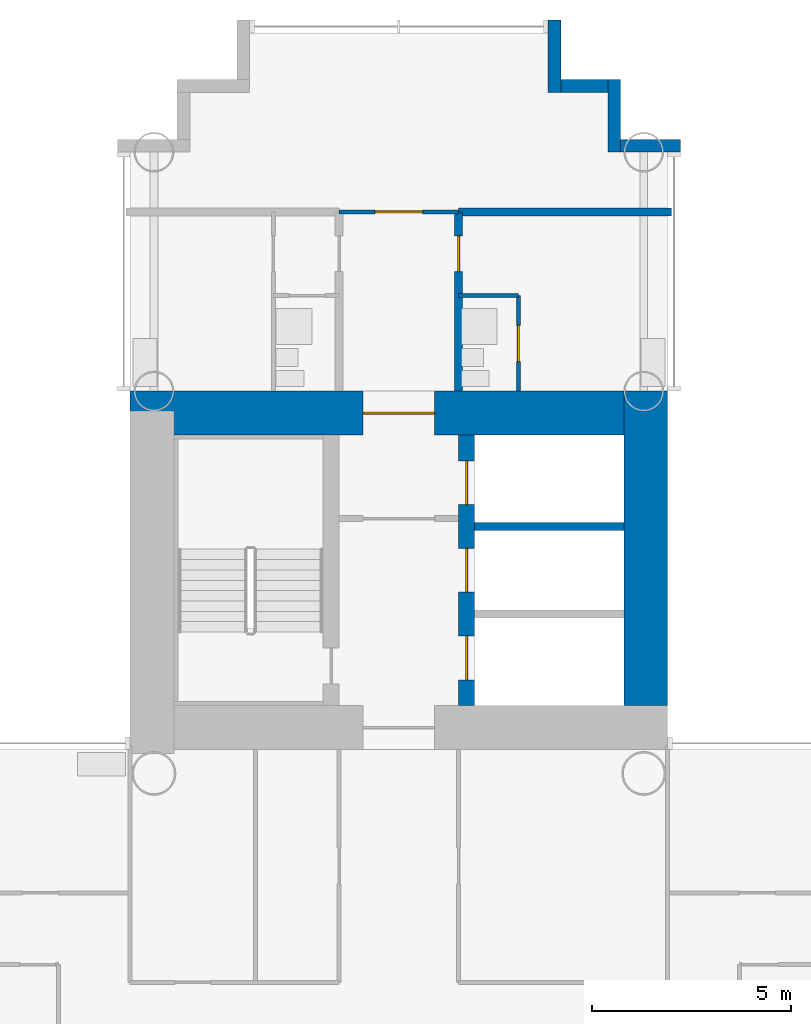
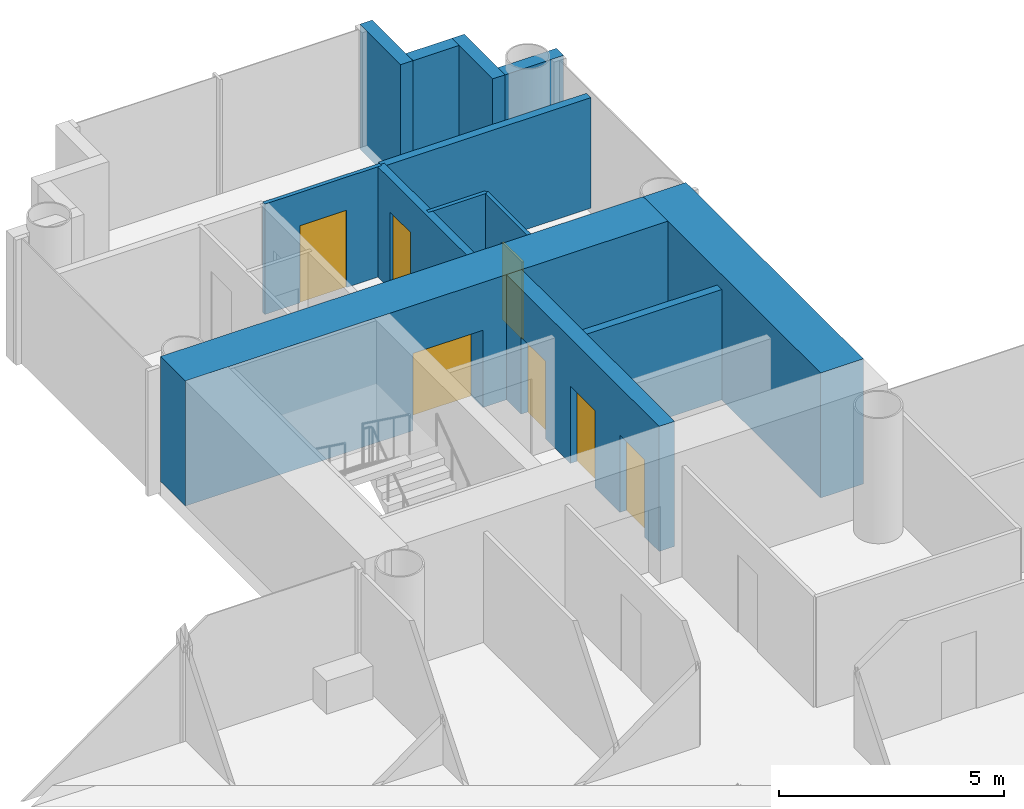
# One storey, part 15 of 21: 13 walls, 7 doors, 7 openings.
"""IFC4 building model written with IfcOpenShell, lengths in metres."""

import ifcopenshell
import ifcopenshell.guid

model = None  # the IFC model being written
_history = None  # IfcOwnerHistory: only IFC2X3 demands one
_inside = {}  # id of a spatial element -> (the spatial element, [elements in it])
_under = {}  # id of a project, library or spatial element -> (it, [spatial elements below it])
_declared = {}  # id of a project -> (the project, [libraries it declares])
_typed = {}  # id of a type object -> (the type object, [elements of that type])
_made_of = {}  # id of a material, layer set ... -> (it, [elements and type objects made of it])


def new_model(schema):
    """Start an empty IFC model of exactly this schema.

    Asked for "IFC4X3", IfcOpenShell would pick the latest addendum, in which some entities
    have other attributes; the version numbers below select the first issue.
    IFC2X3 requires an IfcOwnerHistory on every rooted entity: one is made here for all.
    """
    global model, _history
    if schema == "IFC4X3":
        model = ifcopenshell.file(schema_version=(4, 3, 0, 0))
    else:
        model = ifcopenshell.file(schema=schema)
    _inside.clear()
    _under.clear()
    _declared.clear()
    _typed.clear()
    _made_of.clear()
    _history = None
    if model.schema == "IFC2X3":
        org = make("IfcOrganization", Name="unknown")
        user = make(
            "IfcPersonAndOrganization",
            ThePerson=make("IfcPerson", FamilyName="unknown"),
            TheOrganization=org,
        )
        app = make(
            "IfcApplication",
            ApplicationDeveloper=org,
            Version="unknown",
            ApplicationFullName="unknown",
            ApplicationIdentifier="unknown",
        )
        _history = make(
            "IfcOwnerHistory",
            OwningUser=user,
            OwningApplication=app,
            ChangeAction="ADDED",
            CreationDate=0,
        )
    return model


def make(cls, **values):
    """One entity of the class cls with the attributes given. An attribute that is None is left unset."""
    return model.create_entity(
        cls, **{name: value for name, value in values.items() if value is not None}
    )


def rooted(cls, **values):
    """An entity with a GlobalId (a new one), such as an element, a storey or a relation."""
    return make(cls, GlobalId=ifcopenshell.guid.new(), OwnerHistory=_history, **values)


def si_unit(unit_type, name, prefix=None):
    """IfcSIUnit, for example si_unit("LENGTHUNIT", "METRE", prefix="MILLI")."""
    return make("IfcSIUnit", UnitType=unit_type, Prefix=prefix, Name=name)


def assignment(units):
    """IfcUnitAssignment: the units of a project."""
    return None if units is None else make("IfcUnitAssignment", Units=units)


def point(xyz):
    """IfcCartesianPoint."""
    return None if xyz is None else make("IfcCartesianPoint", Coordinates=xyz)


def direction(xyz):
    """IfcDirection."""
    return None if xyz is None else make("IfcDirection", DirectionRatios=xyz)


def frame(location, z_axis=None, x_axis=None):
    """IfcAxis2Placement3D, a coordinate frame: its origin and axes. An axis left out is left unset."""
    return make(
        "IfcAxis2Placement3D",
        Location=point(location),
        Axis=direction(z_axis),
        RefDirection=direction(x_axis),
    )


def frame_2d(location, x_axis=None):
    """IfcAxis2Placement2D, a coordinate frame in the plane: its origin and x axis."""
    return make(
        "IfcAxis2Placement2D", Location=point(location), RefDirection=direction(x_axis)
    )


def origin():
    """The frame at (0, 0, 0) with its axes left unset."""
    return frame((0.0, 0.0, 0.0))


def place(relative_to, where):
    """IfcLocalPlacement: puts the frame where relative to a parent placement (None: the world)."""
    return make(
        "IfcLocalPlacement", PlacementRelTo=relative_to, RelativePlacement=where
    )


def context(
    kind, dimensions, precision=None, world=None, true_north=None, identifier=None
):
    """IfcGeometricRepresentationContext, for example the 3D "Model" context."""
    return make(
        "IfcGeometricRepresentationContext",
        ContextIdentifier=identifier,
        ContextType=kind,
        CoordinateSpaceDimension=dimensions,
        Precision=precision,
        WorldCoordinateSystem=world,
        TrueNorth=true_north,
    )


def subcontext(parent, identifier, kind, view, scale=None):
    """IfcGeometricRepresentationSubContext, for example "Body" below "Model"."""
    return make(
        "IfcGeometricRepresentationSubContext",
        ContextIdentifier=identifier,
        ContextType=kind,
        ParentContext=parent,
        TargetScale=scale,
        TargetView=view,
    )


def project(units=None, contexts=None):
    """IfcProject with its units and contexts."""
    return rooted(
        "IfcProject",
        Name="project",
        RepresentationContexts=contexts,
        UnitsInContext=assignment(units),
    )


def spatial(cls, under=None, at=None, **own):
    """A site, building, storey or space (cls), placed at a placement, below another one or the project."""
    s = rooted(cls, ObjectPlacement=at, **own)
    if under is not None:
        _under.setdefault(under.id(), (under, []))[1].append(s)
    return s


def profile(cls, at=None, kind="AREA", **sizes):
    """A parametric profile (cls). Its sizes go by their IFC names, for example OverallWidth=200.0."""
    return make(cls, ProfileType=kind, Position=at, **sizes)


def rectangle(**sizes):
    """IfcRectangleProfileDef."""
    return profile("IfcRectangleProfileDef", **sizes)


def extrude(swept, where, along, depth):
    """IfcExtrudedAreaSolid: the profile swept, set in the frame where, extruded along a direction by depth."""
    return make(
        "IfcExtrudedAreaSolid",
        SweptArea=swept,
        Position=where,
        ExtrudedDirection=direction(along),
        Depth=depth,
    )


def shape(context_of_items, identifier, shape_type, items):
    """IfcShapeRepresentation: the items that make up one representation, for example the "Body"."""
    return make(
        "IfcShapeRepresentation",
        ContextOfItems=context_of_items,
        RepresentationIdentifier=identifier,
        RepresentationType=shape_type,
        Items=items,
    )


def material(Name=None, Category=None):
    """IfcMaterial."""
    return make("IfcMaterial", Name=Name, Category=Category)


def layer(
    of_material, thickness, ventilated=None, Name=None, Category=None, Priority=None
):
    """IfcMaterialLayer: one layer of a wall or slab, of a material (None: an air gap)."""
    return make(
        "IfcMaterialLayer",
        Material=of_material,
        LayerThickness=thickness,
        IsVentilated=ventilated,
        Name=Name,
        Category=Category,
        Priority=Priority,
    )


def layer_set(layers, Name=None):
    """IfcMaterialLayerSet."""
    return make("IfcMaterialLayerSet", MaterialLayers=layers, LayerSetName=Name)


def made_of(thing, what):
    """Note that an element or type object is made of a material, layer set ...; save() writes the relation."""
    if what is not None:
        _made_of.setdefault(what.id(), (what, []))[1].append(thing)
    return thing


def type_object(cls, material=None, **own):
    """A type object (cls), such as IfcWallType, which elements share."""
    return made_of(rooted(cls, **own), material)


def element(
    cls,
    number,
    at=None,
    inside=None,
    cuts=None,
    type_object=None,
    material=None,
    context=None,
    identifier="Body",
    shape_type=None,
    held_by="IfcProductDefinitionShape",
    body=None,
    shapes=None,
    **own,
):
    """One element of the class cls, such as IfcWall. Its Tag is "e" and its number.

    at: its placement. inside: the storey or other place that contains it. cuts: it is an
    opening in that element (IfcRelVoidsElement). A single representation is given by context,
    identifier, shape_type and body (its items); several are given by shapes. held_by: the class
    of the entity that holds the representations. save() writes the other relations.
    """
    e = rooted(cls, Tag="e%d" % number, ObjectPlacement=at, **own)
    if body is not None:
        shapes = [shape(context, identifier, shape_type, body)]
    if shapes is not None:
        e.Representation = make(held_by, Representations=shapes)
    if inside is not None:
        _inside.setdefault(inside.id(), (inside, []))[1].append(e)
    if cuts is not None:
        rooted(
            "IfcRelVoidsElement", RelatingBuildingElement=cuts, RelatedOpeningElement=e
        )
    if type_object is not None:
        _typed.setdefault(type_object.id(), (type_object, []))[1].append(e)
    return made_of(e, material)


def fill(opening, filler):
    """IfcRelFillsElement: the door or window that sits in an opening."""
    return rooted(
        "IfcRelFillsElement",
        RelatingOpeningElement=opening,
        RelatedBuildingElement=filler,
    )


def aggregate(whole, parts):
    """IfcRelAggregates: a whole, such as a stair, and the parts it consists of."""
    return rooted("IfcRelAggregates", RelatingObject=whole, RelatedObjects=parts)


def save(model, path):
    """Write the relations noted so far, then the file.

    IfcRelAggregates (storeys below a building ...), IfcRelContainedInSpatialStructure (elements
    in a storey), IfcRelDefinesByType, IfcRelAssociatesMaterial and IfcRelDeclares: one each for
    every whole, place, type object, material and project.
    """
    for whole, parts in _under.values():
        aggregate(whole, parts)
    for where, things in _inside.values():
        rooted(
            "IfcRelContainedInSpatialStructure",
            RelatedElements=things,
            RelatingStructure=where,
        )
    for kind, things in _typed.values():
        rooted("IfcRelDefinesByType", RelatedObjects=things, RelatingType=kind)
    for what, things in _made_of.values():
        rooted("IfcRelAssociatesMaterial", RelatedObjects=things, RelatingMaterial=what)
    for by, libraries in _declared.values():
        rooted("IfcRelDeclares", RelatingContext=by, RelatedDefinitions=libraries)
    model.write(path)


model = new_model("IFC4")

# Units and contexts
model_context = context("Model", 3, precision=1e-05, world=origin(), true_north=direction((0.0, 1.0)))
body_context = subcontext(model_context, "Body", "Model", "MODEL_VIEW")
ifc_project = project(units=[si_unit("LENGTHUNIT", "METRE"), si_unit("AREAUNIT", "SQUARE_METRE"), si_unit("VOLUMEUNIT", "CUBIC_METRE"), si_unit("PLANEANGLEUNIT", "RADIAN"), si_unit("MASSUNIT", "GRAM", prefix="KILO")], contexts=[model_context])

# Site, building, storey
site_placement = place(None, origin())
site = spatial("IfcSite", under=ifc_project, at=site_placement, CompositionType="ELEMENT")
building_placement = place(site_placement, origin())
building = spatial("IfcBuilding", under=site, at=building_placement, Name="Ipe Terrace Towers", CompositionType="ELEMENT")
storey_placement = place(building_placement, frame((0.0, 0.0, 48.300048828125)))
storey = spatial("IfcBuildingStorey", under=building, at=storey_placement, Name="L12", CompositionType="ELEMENT", Elevation=48.300048828125)

# Walls
ifc_material_1 = material(Name="Concrete C40/50 with buff precast cladding", Category="concrete")
ifc_layer_1 = layer(ifc_material_1, 0.320068359375)
ifc_layer_set_1 = layer_set([ifc_layer_1], Name="BUFF CLADDING WALL 320")
wall_type_1 = type_object("IfcWallType", Name="BUFF CLADDING WALL 320", PredefinedType="STANDARD", material=ifc_layer_set_1)
wall_1_placement = place(storey_placement, frame((43.070068359375, 21.909912109375, -0.300048828125), z_axis=(0.0, 0.0, 1.0), x_axis=(-1.0, 0.0, 0.0)))
element("IfcWall", 1, at=wall_1_placement, inside=storey, type_object=wall_type_1, Name="T2-W-L12-21a wall", PredefinedType="STANDARD", context=body_context, shape_type="SweptSolid", body=[
    extrude(rectangle(XDim=1.5, YDim=0.320068359375, at=frame_2d((0.75, 0.0))), origin(), (0.0, 0.0, 1.0), 3.39990234375),
])
wall_2_placement = place(storey_placement, frame((41.409912109375, 21.75, -0.300048828125), z_axis=(0.0, 0.0, 1.0), x_axis=(0.0, 1.0, 0.0)))
element("IfcWall", 2, at=wall_2_placement, inside=storey, type_object=wall_type_1, Name="T2-W-L12-22a wall", PredefinedType="STANDARD", context=body_context, shape_type="SweptSolid", body=[
    extrude(rectangle(XDim=1.820068359375, YDim=0.320068359375, at=frame_2d((0.91015625, 0.0))), origin(), (0.0, 0.0, 1.0), 3.39990234375),
])
wall_3_placement = place(storey_placement, frame((41.25, 23.409912109375, -0.300048828125), z_axis=(0.0, 0.0, 1.0), x_axis=(-1.0, 0.0, 0.0)))
element("IfcWall", 3, at=wall_3_placement, inside=storey, type_object=wall_type_1, Name="T2-W-L12-23a wall", PredefinedType="STANDARD", context=body_context, shape_type="SweptSolid", body=[
    extrude(rectangle(XDim=1.179931640625, YDim=0.320068359375, at=frame_2d((0.58984375, 0.0))), origin(), (0.0, 0.0, 1.0), 3.39990234375),
])
wall_4_placement = place(storey_placement, frame((39.909912109375, 23.25, -0.300048828125), z_axis=(0.0, 0.0, 1.0), x_axis=(0.0, 1.0, 0.0)))
element("IfcWall", 4, at=wall_4_placement, inside=storey, type_object=wall_type_1, Name="T2-W-L12-24a wall", PredefinedType="STANDARD", context=body_context, shape_type="SweptSolid", body=[
    extrude(rectangle(XDim=1.820068359375, YDim=0.320068359375, at=frame_2d((0.91015625, 0.0))), origin(), (0.0, 0.0, 1.0), 3.39990234375),
])
ifc_material_2 = material(Name="Gypsum board partition", Category="plasterboard")
ifc_layer_2 = layer(ifc_material_2, 0.10009765625)
ifc_layer_set_2 = layer_set([ifc_layer_2], Name="Gypsum board partition 100 mm")
wall_type_2 = type_object("IfcWallType", Name="Gypsum board partition 100 mm", PredefinedType="PARTITIONING", material=ifc_layer_set_2)
wall_5_placement = place(storey_placement, frame((39.0, 18.14990234375, 0.0), z_axis=(0.0, 0.0, 1.0), x_axis=(-1.0, 0.0, 0.0)))
element("IfcWall", 5, at=wall_5_placement, inside=storey, type_object=wall_type_2, Name="Gypsum board partition T2 L12 W19", PredefinedType="PARTITIONING", context=body_context, shape_type="SweptSolid", body=[
    extrude(rectangle(XDim=1.5, YDim=0.10009765625, at=frame_2d((0.75, 0.0))), origin(), (0.0, 0.0, 1.0), 3.0),
])

# Wall, opening, door
wall_6_placement = place(storey_placement, frame((37.5, 20.25, 0.0), z_axis=(0.0, 0.0, 1.0), x_axis=(-1.0, 0.0, 0.0)))
wall_6 = element("IfcWall", 6, at=wall_6_placement, inside=storey, type_object=wall_type_2, Name="Gypsum board partition T2 L12 W21", PredefinedType="PARTITIONING", context=body_context, shape_type="SweptSolid", body=[
    extrude(rectangle(XDim=3.0, YDim=0.10009765625, at=frame_2d((1.5, 0.0))), origin(), (0.0, 0.0, 1.0), 3.0),
])
opening_1_placement = place(wall_6_placement, frame((0.89990234375, 0.0, 0.0)))
opening_1 = element("IfcOpeningElement", 7, at=opening_1_placement, cuts=wall_6, Name="Opening T2-Z1C-26", PredefinedType="OPENING", context=body_context, shape_type="SweptSolid", body=[
    extrude(rectangle(XDim=1.199951171875, YDim=2.10009765625, at=frame_2d((0.60009765625, 1.050048828125))), frame((0.0, 0.06005859375, 0.0), z_axis=(0.0, -1.0, 0.0), x_axis=(1.0, 0.0, 0.0)), (0.0, 0.0, 1.0), 0.1201171875),
])
ifc_material_3 = material(Name="Timber door leaf", Category="wood")
door_type_1 = type_object("IfcDoorType", Name="Lounge door 1200 x 2100", OperationType="NOTDEFINED", PredefinedType="DOOR", material=ifc_material_3)
door_1_placement = place(opening_1_placement, origin())
door_1 = element("IfcDoor", 8, at=door_1_placement, inside=storey, type_object=door_type_1, Name="Lounge door T2-Z1C-26", OperationType="SINGLE_SWING_RIGHT", OverallHeight=2.10009765625, OverallWidth=1.199951171875, PredefinedType="DOOR", context=body_context, shape_type="SweptSolid", body=[
    extrude(rectangle(XDim=1.199951171875, YDim=2.10009765625, at=frame_2d((0.60009765625, 1.050048828125))), frame((0.0, 0.02490234375, 0.0), z_axis=(0.0, -1.0, 0.0), x_axis=(1.0, 0.0, 0.0)), (0.0, 0.0, 1.0), 0.050048828125),
])
fill(opening_1, door_1)

wall_7_placement = place(storey_placement, frame((39.0, 15.75, 0.0), z_axis=(0.0, 0.0, 1.0), x_axis=(0.0, 1.0, 0.0)))
wall_7 = element("IfcWall", 9, at=wall_7_placement, inside=storey, type_object=wall_type_2, Name="Gypsum board partition T2 L12 W33", PredefinedType="PARTITIONING", context=body_context, shape_type="SweptSolid", body=[
    extrude(rectangle(XDim=2.39990234375, YDim=0.10009765625, at=frame_2d((1.199951171875, 0.0))), origin(), (0.0, 0.0, 1.0), 3.0),
])
opening_2_placement = place(wall_7_placement, frame((0.75, 0.0, 0.0)))
opening_2 = element("IfcOpeningElement", 10, at=opening_2_placement, cuts=wall_7, Name="Opening T2-Z1C-25", PredefinedType="OPENING", context=body_context, shape_type="SweptSolid", body=[
    extrude(rectangle(XDim=0.89990234375, YDim=2.10009765625, at=frame_2d((0.449951171875, 1.050048828125))), frame((0.0, 0.06005859375, 0.0), z_axis=(0.0, -1.0, 0.0), x_axis=(1.0, 0.0, 0.0)), (0.0, 0.0, 1.0), 0.1201171875),
])
ifc_material_4 = material(Name="Timber door leaf", Category="wood")
door_type_2 = type_object("IfcDoorType", Name="Bathroom door 900 x 2100", OperationType="NOTDEFINED", PredefinedType="DOOR", material=ifc_material_4)
door_2_placement = place(opening_2_placement, origin())
door_2 = element("IfcDoor", 11, at=door_2_placement, inside=storey, type_object=door_type_2, Name="Bathroom door T2-Z1C-25", OperationType="SINGLE_SWING_LEFT", OverallHeight=2.10009765625, OverallWidth=0.89990234375, PredefinedType="DOOR", context=body_context, shape_type="SweptSolid", body=[
    extrude(rectangle(XDim=0.89990234375, YDim=2.10009765625, at=frame_2d((0.449951171875, 1.050048828125))), frame((0.0, 0.02490234375, 0.0), z_axis=(0.0, -1.0, 0.0), x_axis=(1.0, 0.0, 0.0)), (0.0, 0.0, 1.0), 0.050048828125),
])
fill(opening_2, door_2)

# Walls
ifc_material_5 = material(Name="Gypsum board party wall", Category="plasterboard")
ifc_layer_3 = layer(ifc_material_5, 0.199951171875)
ifc_layer_set_3 = layer_set([ifc_layer_3], Name="Gypsum board party wall 200 mm")
wall_type_3 = type_object("IfcWallType", Name="Gypsum board party wall 200 mm", PredefinedType="SOLIDWALL", material=ifc_layer_set_3)
wall_8_placement = place(storey_placement, frame((41.64990234375, 12.35009765625, 0.0), z_axis=(0.0, 0.0, 1.0), x_axis=(-1.0, 0.0, 0.0)))
element("IfcWall", 12, at=wall_8_placement, inside=storey, type_object=wall_type_3, Name="Gypsum board party wall T2 L12 t2c1-shaft-div2", PredefinedType="SOLIDWALL", context=body_context, shape_type="SweptSolid", body=[
    extrude(rectangle(XDim=3.75, YDim=0.199951171875, at=frame_2d((1.875, 0.0))), origin(), (0.0, 0.0, 1.0), 3.0),
])
wall_9_placement = place(storey_placement, frame((42.85009765625, 20.25, 0.0), z_axis=(0.0, 0.0, 1.0), x_axis=(-1.0, 0.0, 0.0)))
element("IfcWall", 13, at=wall_9_placement, inside=storey, type_object=wall_type_3, Name="Gypsum board party wall T2 L12 W22", PredefinedType="SOLIDWALL", context=body_context, shape_type="SweptSolid", body=[
    extrude(rectangle(XDim=5.35009765625, YDim=0.199951171875, at=frame_2d((2.675048828125, 0.0))), origin(), (0.0, 0.0, 1.0), 3.0),
])

# Wall, opening, door
wall_10_placement = place(storey_placement, frame((37.5, 15.75, 0.0), z_axis=(0.0, 0.0, 1.0), x_axis=(0.0, 1.0, 0.0)))
wall_10 = element("IfcWall", 14, at=wall_10_placement, inside=storey, type_object=wall_type_3, Name="Gypsum board party wall T2 L12 W38", PredefinedType="SOLIDWALL", context=body_context, shape_type="SweptSolid", body=[
    extrude(rectangle(XDim=4.5, YDim=0.199951171875, at=frame_2d((2.25, 0.0))), origin(), (0.0, 0.0, 1.0), 3.0),
])
opening_3_placement = place(wall_10_placement, frame((3.0, 0.0, 0.0)))
opening_3 = element("IfcOpeningElement", 15, at=opening_3_placement, cuts=wall_10, Name="Opening T2-Z1C-24", PredefinedType="OPENING", context=body_context, shape_type="SweptSolid", body=[
    extrude(rectangle(XDim=0.89990234375, YDim=2.10009765625, at=frame_2d((0.449951171875, 1.050048828125))), frame((0.0, 0.10986328125, 0.0), z_axis=(0.0, -1.0, 0.0), x_axis=(1.0, 0.0, 0.0)), (0.0, 0.0, 1.0), 0.219970703125),
])
ifc_material_6 = material(Name="Fire-rated timber door leaf", Category="wood")
door_type_3 = type_object("IfcDoorType", Name="Flat entrance door 900 x 2100 FD30S", OperationType="NOTDEFINED", PredefinedType="DOOR", material=ifc_material_6)
door_3_placement = place(opening_3_placement, origin())
door_3 = element("IfcDoor", 16, at=door_3_placement, inside=storey, type_object=door_type_3, Name="Flat entrance door T2-Z1C-24", OperationType="SINGLE_SWING_RIGHT", OverallHeight=2.10009765625, OverallWidth=0.89990234375, PredefinedType="DOOR", context=body_context, shape_type="SweptSolid", body=[
    extrude(rectangle(XDim=0.89990234375, YDim=2.10009765625, at=frame_2d((0.449951171875, 1.050048828125))), frame((0.0, 0.02490234375, 0.0), z_axis=(0.0, -1.0, 0.0), x_axis=(1.0, 0.0, 0.0)), (0.0, 0.0, 1.0), 0.050048828125),
])
fill(opening_3, door_3)

# Wall
ifc_material_7 = material(Name="Concrete C60/75", Category="concrete")
ifc_layer_4 = layer(ifc_material_7, 1.10009765625)
ifc_layer_set_4 = layer_set([ifc_layer_4], Name="RW1100 CORE WALL 1100 C60-75")
wall_type_4 = type_object("IfcWallType", Name="RW1100 CORE WALL 1100 C60-75", PredefinedType="SHEAR", material=ifc_layer_set_4)
wall_11_placement = place(storey_placement, frame((42.199951171875, 7.85009765625, 0.0), z_axis=(0.0, 0.0, 1.0), x_axis=(0.0, 1.0, 0.0)))
element("IfcWall", 17, at=wall_11_placement, inside=storey, type_object=wall_type_4, Name="Core wall T2-C1-Z1-W02", PredefinedType="SHEAR", context=body_context, shape_type="SweptSolid", body=[
    extrude(rectangle(XDim=7.89990234375, YDim=1.10009765625, at=frame_2d((3.949951171875, 0.0))), origin(), (0.0, 0.0, 1.0), 3.39990234375),
])

# Wall, opening, door
wall_12_placement = place(storey_placement, frame((41.64990234375, 15.199951171875, 0.0), z_axis=(0.0, 0.0, 1.0), x_axis=(-1.0, 0.0, 0.0)))
wall_12 = element("IfcWall", 18, at=wall_12_placement, inside=storey, type_object=wall_type_4, Name="Core wall T2-C1-Z1-W03", PredefinedType="SHEAR", context=body_context, shape_type="SweptSolid", body=[
    extrude(rectangle(XDim=12.39990234375, YDim=1.10009765625, at=frame_2d((6.199951171875, 0.0))), origin(), (0.0, 0.0, 1.0), 3.39990234375),
])
opening_4_placement = place(wall_12_placement, frame((4.75, 0.0, 0.0)))
opening_4 = element("IfcOpeningElement", 19, at=opening_4_placement, cuts=wall_12, Name="Opening T2C1-FD", PredefinedType="OPENING", context=body_context, shape_type="SweptSolid", body=[
    extrude(rectangle(XDim=1.800048828125, YDim=2.10009765625, at=frame_2d((0.89990234375, 1.050048828125))), frame((0.0, 0.56005859375, 0.0), z_axis=(0.0, -1.0, 0.0), x_axis=(1.0, 0.0, 0.0)), (0.0, 0.0, 1.0), 1.1201171875),
])
ifc_material_8 = material(Name="Fire-rated timber door leaf", Category="wood")
door_type_4 = type_object("IfcDoorType", Name="Fire door 1800 x 2100 FD30S", OperationType="NOTDEFINED", PredefinedType="DOOR", material=ifc_material_8)
door_4_placement = place(opening_4_placement, origin())
door_4 = element("IfcDoor", 20, at=door_4_placement, inside=storey, type_object=door_type_4, Name="Fire door T2C1-FD", OperationType="SINGLE_SWING_LEFT", OverallHeight=2.10009765625, OverallWidth=1.800048828125, PredefinedType="DOOR", context=body_context, shape_type="SweptSolid", body=[
    extrude(rectangle(XDim=1.800048828125, YDim=2.10009765625, at=frame_2d((0.89990234375, 1.050048828125))), frame((0.0, 0.02490234375, 0.0), z_axis=(0.0, -1.0, 0.0), x_axis=(1.0, 0.0, 0.0)), (0.0, 0.0, 1.0), 0.050048828125),
])
fill(opening_4, door_4)

# Wall, openings, doors
ifc_material_9 = material(Name="Concrete C60/75", Category="concrete")
ifc_layer_5 = layer(ifc_material_9, 0.39990234375)
ifc_layer_set_5 = layer_set([ifc_layer_5], Name="RW400 CORE SPINE WALL 400 C60-75")
wall_type_5 = type_object("IfcWallType", Name="RW400 CORE SPINE WALL 400 C60-75", PredefinedType="SHEAR", material=ifc_layer_set_5)
wall_13_placement = place(storey_placement, frame((37.699951171875, 7.85009765625, 0.0), z_axis=(0.0, 0.0, 1.0), x_axis=(0.0, 1.0, 0.0)))
wall_13 = element("IfcWall", 21, at=wall_13_placement, inside=storey, type_object=wall_type_5, Name="Core spine wall T2-C1-Z1-SW2", PredefinedType="SHEAR", context=body_context, shape_type="SweptSolid", body=[
    extrude(rectangle(XDim=6.7998046875, YDim=0.39990234375, at=frame_2d((3.39990234375, 0.0))), origin(), (0.0, 0.0, 1.0), 3.39990234375),
])
opening_5_placement = place(wall_13_placement, frame((0.64990234375, 0.0, 0.0)))
opening_5 = element("IfcOpeningElement", 22, at=opening_5_placement, cuts=wall_13, Name="Opening T2C1-LD1", PredefinedType="OPENING", context=body_context, shape_type="SweptSolid", body=[
    extrude(rectangle(XDim=1.10009765625, YDim=2.10009765625, at=frame_2d((0.550048828125, 1.050048828125))), frame((0.0, 0.2099609375, 0.0), z_axis=(0.0, -1.0, 0.0), x_axis=(1.0, 0.0, 0.0)), (0.0, 0.0, 1.0), 0.419921875),
])
opening_6_placement = place(wall_13_placement, frame((2.85009765625, 0.0, 0.0)))
opening_6 = element("IfcOpeningElement", 23, at=opening_6_placement, cuts=wall_13, Name="Opening T2C1-LD2", PredefinedType="OPENING", context=body_context, shape_type="SweptSolid", body=[
    extrude(rectangle(XDim=1.10009765625, YDim=2.10009765625, at=frame_2d((0.550048828125, 1.050048828125))), frame((0.0, 0.2099609375, 0.0), z_axis=(0.0, -1.0, 0.0), x_axis=(1.0, 0.0, 0.0)), (0.0, 0.0, 1.0), 0.419921875),
])
opening_7_placement = place(wall_13_placement, frame((5.050048828125, 0.0, 0.0)))
opening_7 = element("IfcOpeningElement", 24, at=opening_7_placement, cuts=wall_13, Name="Opening T2C1-LD3", PredefinedType="OPENING", context=body_context, shape_type="SweptSolid", body=[
    extrude(rectangle(XDim=1.10009765625, YDim=2.10009765625, at=frame_2d((0.550048828125, 1.050048828125))), frame((0.0, 0.2099609375, 0.0), z_axis=(0.0, -1.0, 0.0), x_axis=(1.0, 0.0, 0.0)), (0.0, 0.0, 1.0), 0.419921875),
])
ifc_material_10 = material(Name="Fire-rated timber door leaf", Category="wood")
door_type_5 = type_object("IfcDoorType", Name="Sliding door 1100 x 2100 FD60", OperationType="SLIDING_TO_LEFT", PredefinedType="DOOR", material=ifc_material_10)
door_5_placement = place(opening_5_placement, origin())
door_5 = element("IfcDoor", 25, at=door_5_placement, inside=storey, type_object=door_type_5, Name="Sliding door T2C1-LD1", OperationType="SLIDING_TO_LEFT", OverallHeight=2.10009765625, OverallWidth=1.10009765625, PredefinedType="DOOR", context=body_context, shape_type="SweptSolid", body=[
    extrude(rectangle(XDim=1.10009765625, YDim=2.10009765625, at=frame_2d((0.550048828125, 1.050048828125))), frame((0.0, 0.02490234375, 0.0), z_axis=(0.0, -1.0, 0.0), x_axis=(1.0, 0.0, 0.0)), (0.0, 0.0, 1.0), 0.050048828125),
])
fill(opening_5, door_5)
door_6_placement = place(opening_6_placement, origin())
door_6 = element("IfcDoor", 26, at=door_6_placement, inside=storey, type_object=door_type_5, Name="Sliding door T2C1-LD2", OperationType="SLIDING_TO_LEFT", OverallHeight=2.10009765625, OverallWidth=1.10009765625, PredefinedType="DOOR", context=body_context, shape_type="SweptSolid", body=[
    extrude(rectangle(XDim=1.10009765625, YDim=2.10009765625, at=frame_2d((0.550048828125, 1.050048828125))), frame((0.0, 0.02490234375, 0.0), z_axis=(0.0, -1.0, 0.0), x_axis=(1.0, 0.0, 0.0)), (0.0, 0.0, 1.0), 0.050048828125),
])
fill(opening_6, door_6)
door_7_placement = place(opening_7_placement, origin())
door_7 = element("IfcDoor", 27, at=door_7_placement, inside=storey, type_object=door_type_5, Name="Sliding door T2C1-LD3", OperationType="SLIDING_TO_LEFT", OverallHeight=2.10009765625, OverallWidth=1.10009765625, PredefinedType="DOOR", context=body_context, shape_type="SweptSolid", body=[
    extrude(rectangle(XDim=1.10009765625, YDim=2.10009765625, at=frame_2d((0.550048828125, 1.050048828125))), frame((0.0, 0.02490234375, 0.0), z_axis=(0.0, -1.0, 0.0), x_axis=(1.0, 0.0, 0.0)), (0.0, 0.0, 1.0), 0.050048828125),
])
fill(opening_7, door_7)

save(model, "model.ifc")
